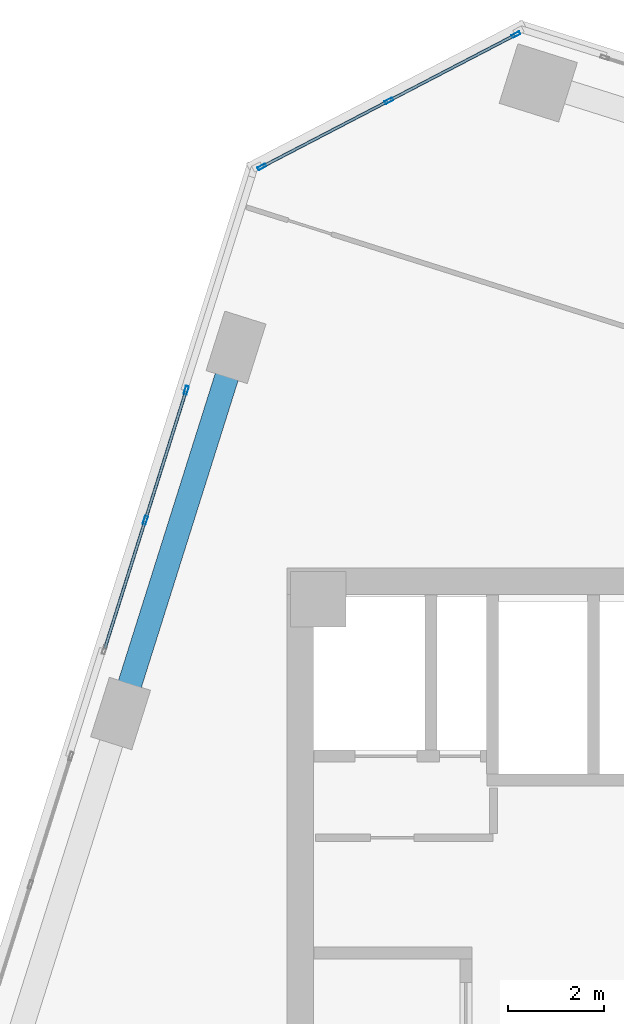
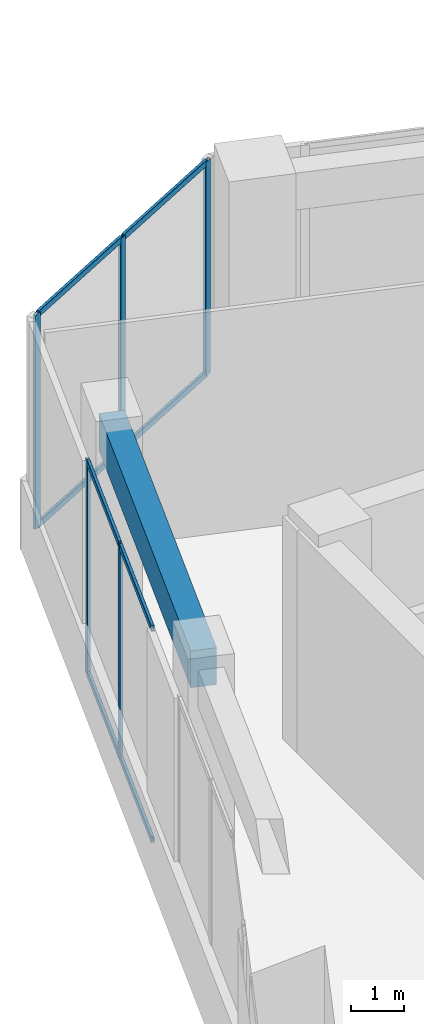
# One storey, part 13 of 28: 13 members, 1 beam, 2 elements without a shape of their own.
"""IFC4 building model written with IfcOpenShell, lengths in metres."""

from ifc_helpers import new_model, si_unit, direction, frame, origin, origin_2d, place, context, subcontext, project, spatial, rectangle, hollow_rectangle, extrude, source, transform, mapped, material, material_profile, profile_set, type_object, element, aggregate, save


model = new_model("IFC4")

# Units and contexts
model_context = context("Model", 3, precision=1e-05, world=origin(), true_north=direction((0.0, 1.0)))
body_context = subcontext(model_context, "Body", "Model", "MODEL_VIEW")
ifc_project = project(units=[si_unit("LENGTHUNIT", "METRE"), si_unit("AREAUNIT", "SQUARE_METRE"), si_unit("VOLUMEUNIT", "CUBIC_METRE"), si_unit("PLANEANGLEUNIT", "RADIAN"), si_unit("MASSUNIT", "GRAM", prefix="KILO")], contexts=[model_context])

# Site, building, storey
site_placement = place(None, origin())
site = spatial("IfcSite", under=ifc_project, at=site_placement, CompositionType="ELEMENT")
building_placement = place(site_placement, origin())
building = spatial("IfcBuilding", under=site, at=building_placement, Name="Torre Montelarca", CompositionType="ELEMENT")
storey_placement = place(building_placement, frame((0.0, 0.0, 116.800048828125)))
storey = spatial("IfcBuildingStorey", under=building, at=storey_placement, Name="L26", CompositionType="ELEMENT", Elevation=116.800048828125)

# Beam
ifc_material_1 = material(Name="Concrete C55/67", Category="concrete")
ifc_material_profile_1 = material_profile(ifc_material_1, rectangle(XDim=0.5, YDim=0.85009765625, at=origin_2d()), Name="RCB500X850", Category="concrete")
ifc_profile_set_1 = profile_set([ifc_material_profile_1], Name="Concrete C55/67")
beam_type = type_object("IfcBeamType", Name="BM-SP-RC850-EXT", PredefinedType="SPANDREL", material=ifc_profile_set_1)
shared_shape_1 = source(origin(), body_context, "Body", "SweptSolid", [
    extrude(rectangle(XDim=0.5, YDim=0.85009765625, at=origin_2d()), origin(), (0.0, 0.0, 1.0), 7.999755859375),
])
beam_placement = place(storey_placement, frame((5.429931640625, 37.06689453125, 4.695068359375), z_axis=(0.300694628035, 0.953720473027, 0.0), x_axis=(-0.953720473027, 0.300694628035, 0.0)))
element("IfcBeam", 1, at=beam_placement, inside=storey, type_object=beam_type, Name="L26 Grid Girder Y 32.0-40.0 at X=4.7", PredefinedType="SPANDREL", context=body_context, shape_type="MappedRepresentation", body=[
    mapped(shared_shape_1, transform((0.0, 0.0, 0.0), scale=1.0)),
])

# Curtain wall, members
ifc_material_2 = material(Name="Insulated low-E laminated glass", Category="glass")
curtain_wall_type = type_object("IfcCurtainWallType", Name="CW-SYS-Z1", PredefinedType="USERDEFINED", material=ifc_material_2)
curtain_wall_1_placement = place(storey_placement, origin())
curtain_wall_1 = element("IfcCurtainWall", 2, at=curtain_wall_1_placement, inside=storey, type_object=curtain_wall_type, Name="L26 Curtain Wall Run CW-T3-L26-E09-B1", ObjectType="UNITISED GLAZING", PredefinedType="USERDEFINED")
ifc_material_3 = material(Name="Anodised aluminium AA 6063-T6", Category="aluminium")
ifc_material_profile_2 = material_profile(ifc_material_3, hollow_rectangle(XDim=0.06494140625, YDim=0.139892578125, WallThickness=0.00390625, InnerFilletRadius=0.00390625, OuterFilletRadius=0.008056640625, at=origin_2d()), Name="ALU65X140X4", Category="aluminium")
ifc_profile_set_2 = profile_set([ifc_material_profile_2], Name="Anodised aluminium AA 6063-T6")
member_type_1 = type_object("IfcMemberType", Name="CWT-ALU140", PredefinedType="USERDEFINED", material=ifc_profile_set_2)
shared_shape_2 = source(origin(), body_context, "Body", "SweptSolid", [
    extrude(hollow_rectangle(XDim=0.06494140625, YDim=0.139892578125, WallThickness=0.00390625, InnerFilletRadius=0.00390625, OuterFilletRadius=0.008056640625, at=origin_2d()), origin(), (0.0, 0.0, 1.0), 2.918701171875),
])
member_1_placement = place(storey_placement, frame((13.6376953125, 51.197509765625, 0.032470703125), z_axis=(-0.887014019534, -0.461742492251, 0.0), x_axis=(0.461742492251, -0.887014019534, 0.0)))
member_1 = element("IfcMember", 3, at=member_1_placement, type_object=member_type_1, Name="CW transom 1.1", ObjectType="TRANSOM", PredefinedType="USERDEFINED", context=body_context, shape_type="MappedRepresentation", body=[
    mapped(shared_shape_2, transform((0.0, 0.0, 0.0), scale=1.0)),
])
member_2_placement = place(storey_placement, frame((13.6376953125, 51.197509765625, 4.887451171875), z_axis=(-0.887014019534, -0.461742492251, 0.0), x_axis=(0.461742492251, -0.887014019534, 0.0)))
member_2 = element("IfcMember", 4, at=member_2_placement, type_object=member_type_1, Name="CW transom 1.2", ObjectType="TRANSOM", PredefinedType="USERDEFINED", context=body_context, shape_type="MappedRepresentation", body=[
    mapped(shared_shape_2, transform((0.0, 0.0, 0.0), scale=1.0)),
])
shared_shape_3 = source(origin(), body_context, "Body", "SweptSolid", [
    extrude(hollow_rectangle(XDim=0.06494140625, YDim=0.139892578125, WallThickness=0.00390625, InnerFilletRadius=0.00390625, OuterFilletRadius=0.008056640625, at=origin_2d()), origin(), (0.0, 0.0, 1.0), 2.91845703125),
])
member_3_placement = place(storey_placement, frame((10.9912109375, 49.81982421875, 0.032470703125), z_axis=(-0.88704827871, -0.461676673916, 0.0), x_axis=(0.461676673916, -0.88704827871, 0.0)))
member_3 = element("IfcMember", 5, at=member_3_placement, type_object=member_type_1, Name="CW transom 2.1", ObjectType="TRANSOM", PredefinedType="USERDEFINED", context=body_context, shape_type="MappedRepresentation", body=[
    mapped(shared_shape_3, transform((0.0, 0.0, 0.0), scale=1.0)),
])
member_4_placement = place(storey_placement, frame((10.9912109375, 49.81982421875, 4.887451171875), z_axis=(-0.88704827871, -0.461676673916, 0.0), x_axis=(0.461676673916, -0.88704827871, 0.0)))
member_4 = element("IfcMember", 6, at=member_4_placement, type_object=member_type_1, Name="CW transom 2.2", ObjectType="TRANSOM", PredefinedType="USERDEFINED", context=body_context, shape_type="MappedRepresentation", body=[
    mapped(shared_shape_3, transform((0.0, 0.0, 0.0), scale=1.0)),
])

curtain_wall_2_placement = place(storey_placement, origin())
curtain_wall_2 = element("IfcCurtainWall", 7, at=curtain_wall_2_placement, inside=storey, type_object=curtain_wall_type, Name="L26 Curtain Wall Run CW-T3-L26-E10-B1", ObjectType="UNITISED GLAZING", PredefinedType="USERDEFINED")
shared_shape_4 = source(origin(), body_context, "Body", "SweptSolid", [
    extrude(hollow_rectangle(XDim=0.06494140625, YDim=0.139892578125, WallThickness=0.00390625, InnerFilletRadius=0.00390625, OuterFilletRadius=0.008056640625, at=origin_2d()), origin(), (0.0, 0.0, 1.0), 2.7724609375),
])
member_5_placement = place(storey_placement, frame((5.936279296875, 41.067138671875, 0.032470703125), z_axis=(-0.300730959774, -0.953709017381, 0.0), x_axis=(0.953709017381, -0.300730959774, 0.0)))
member_5 = element("IfcMember", 8, at=member_5_placement, type_object=member_type_1, Name="CW transom 2.1", ObjectType="TRANSOM", PredefinedType="USERDEFINED", context=body_context, shape_type="MappedRepresentation", body=[
    mapped(shared_shape_4, transform((0.0, 0.0, 0.0), scale=1.0)),
])
member_6_placement = place(storey_placement, frame((5.936279296875, 41.067138671875, 4.887451171875), z_axis=(-0.300730959774, -0.953709017381, 0.0), x_axis=(0.953709017381, -0.300730959774, 0.0)))
member_6 = element("IfcMember", 9, at=member_6_placement, type_object=member_type_1, Name="CW transom 2.2", ObjectType="TRANSOM", PredefinedType="USERDEFINED", context=body_context, shape_type="MappedRepresentation", body=[
    mapped(shared_shape_4, transform((0.0, 0.0, 0.0), scale=1.0)),
])
shared_shape_5 = source(origin(), body_context, "Body", "SweptSolid", [
    extrude(hollow_rectangle(XDim=0.06494140625, YDim=0.139892578125, WallThickness=0.00390625, InnerFilletRadius=0.00390625, OuterFilletRadius=0.008056640625, at=origin_2d()), origin(), (0.0, 0.0, 1.0), 2.772705078125),
])
member_7_placement = place(storey_placement, frame((6.78955078125, 43.7734375, 0.032470703125), z_axis=(-0.300705704807, -0.953716980606, 0.0), x_axis=(0.953716980606, -0.300705704807, 0.0)))
member_7 = element("IfcMember", 10, at=member_7_placement, type_object=member_type_1, Name="CW transom 1.1", ObjectType="TRANSOM", PredefinedType="USERDEFINED", context=body_context, shape_type="MappedRepresentation", body=[
    mapped(shared_shape_5, transform((0.0, 0.0, 0.0), scale=1.0)),
])
member_8_placement = place(storey_placement, frame((6.78955078125, 43.7734375, 4.887451171875), z_axis=(-0.300705704807, -0.953716980606, 0.0), x_axis=(0.953716980606, -0.300705704807, 0.0)))
member_8 = element("IfcMember", 11, at=member_8_placement, type_object=member_type_1, Name="CW transom 1.2", ObjectType="TRANSOM", PredefinedType="USERDEFINED", context=body_context, shape_type="MappedRepresentation", body=[
    mapped(shared_shape_5, transform((0.0, 0.0, 0.0), scale=1.0)),
])

# Member
ifc_material_profile_3 = material_profile(ifc_material_3, hollow_rectangle(XDim=0.06494140625, YDim=0.179931640625, WallThickness=0.00390625, InnerFilletRadius=0.00390625, OuterFilletRadius=0.008056640625, at=origin_2d()), Name="ALU65X180X4", Category="aluminium")
ifc_profile_set_3 = profile_set([ifc_material_profile_3], Name="Anodised aluminium AA 6063-T6")
member_type_2 = type_object("IfcMemberType", Name="CWM-ALU180", PredefinedType="MULLION", material=ifc_profile_set_3)
shared_shape_6 = source(origin(), body_context, "Body", "SweptSolid", [
    extrude(hollow_rectangle(XDim=0.06494140625, YDim=0.179931640625, WallThickness=0.00390625, InnerFilletRadius=0.00390625, OuterFilletRadius=0.008056640625, at=origin_2d()), origin(), (0.0, 0.0, 1.0), 4.919921875),
])
member_9_placement = place(storey_placement, frame((13.66650390625, 51.212646484375, 0.0), z_axis=(0.0, 0.0, 1.0), x_axis=(0.461729026109, -0.887021029316, 0.0)))
member_9 = element("IfcMember", 12, at=member_9_placement, type_object=member_type_2, Name="CW mullion 1", PredefinedType="MULLION", context=body_context, shape_type="MappedRepresentation", body=[
    mapped(shared_shape_6, transform((0.0, 0.0, 0.0), scale=1.0)),
])

member_10_placement = place(storey_placement, frame((11.02001953125, 49.8349609375, 0.0), z_axis=(0.0, 0.0, 1.0), x_axis=(0.461729026109, -0.887021029316, 0.0)))
member_10 = element("IfcMember", 13, at=member_10_placement, type_object=member_type_2, Name="CW mullion 2", PredefinedType="MULLION", context=body_context, shape_type="MappedRepresentation", body=[
    mapped(shared_shape_6, transform((0.0, 0.0, 0.0), scale=1.0)),
])

member_11_placement = place(storey_placement, frame((8.37353515625, 48.457275390625, 0.0), z_axis=(0.0, 0.0, 1.0), x_axis=(0.461729026109, -0.887021029316, 0.0)))
member_11 = element("IfcMember", 14, at=member_11_placement, type_object=member_type_2, Name="CW mullion 3", PredefinedType="MULLION", context=body_context, shape_type="MappedRepresentation", body=[
    mapped(shared_shape_6, transform((0.0, 0.0, 0.0), scale=1.0)),
])

aggregate(curtain_wall_1, [member_9, member_10, member_11, member_1, member_2, member_3, member_4])

member_12_placement = place(storey_placement, frame((6.79931640625, 43.804443359375, 0.0), z_axis=(0.0, 0.0, 1.0), x_axis=(0.953718957259, -0.30069943559, 0.0)))
member_12 = element("IfcMember", 15, at=member_12_placement, type_object=member_type_2, Name="CW mullion 1", PredefinedType="MULLION", context=body_context, shape_type="MappedRepresentation", body=[
    mapped(shared_shape_6, transform((0.0, 0.0, 0.0), scale=1.0)),
])

member_13_placement = place(storey_placement, frame((5.946044921875, 41.09814453125, 0.0), z_axis=(0.0, 0.0, 1.0), x_axis=(0.953718957259, -0.30069943559, 0.0)))
member_13 = element("IfcMember", 16, at=member_13_placement, type_object=member_type_2, Name="CW mullion 2", PredefinedType="MULLION", context=body_context, shape_type="MappedRepresentation", body=[
    mapped(shared_shape_6, transform((0.0, 0.0, 0.0), scale=1.0)),
])

aggregate(curtain_wall_2, [member_12, member_13, member_7, member_8, member_5, member_6])

save(model, "model.ifc")
